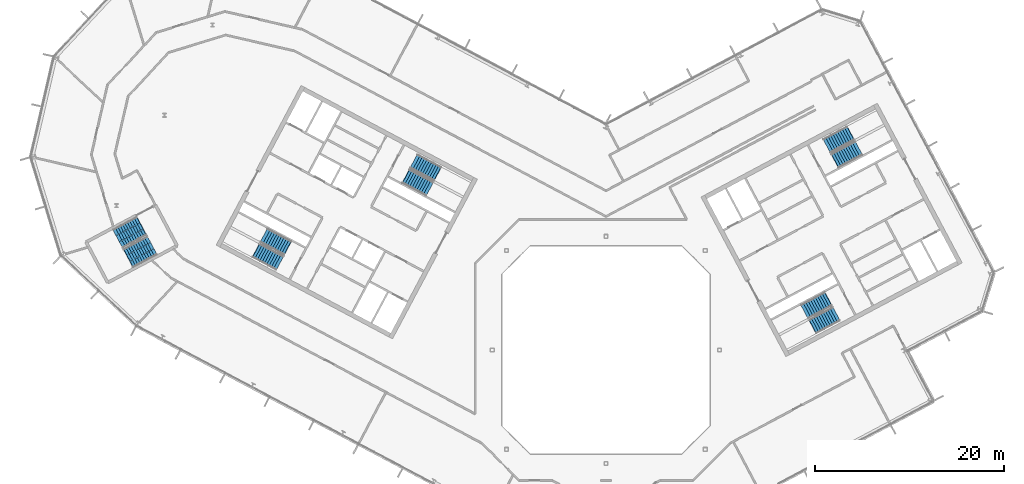
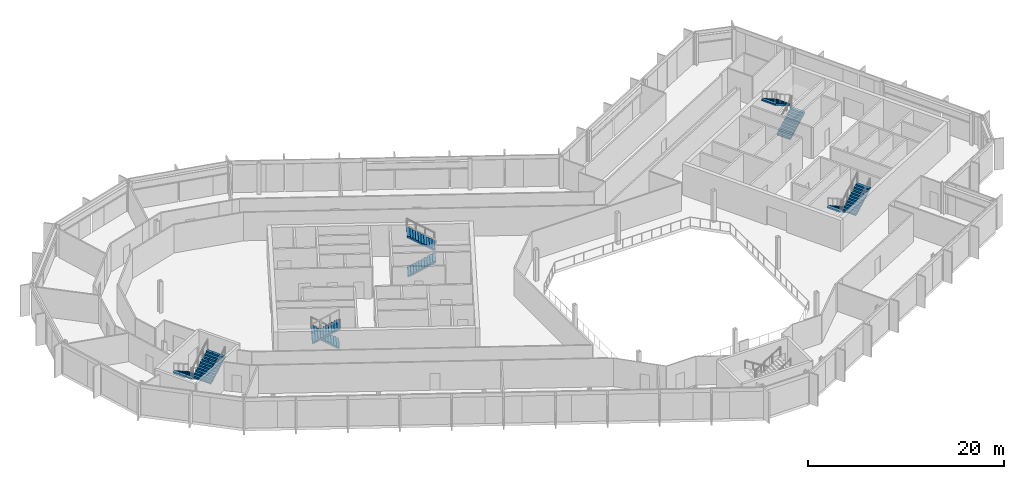
# One storey, part 17 of 25: 10 stair flights, 5 elements without a shape of their own.
"""IFC4 building model written with IfcOpenShell, lengths in metres."""

from ifc_helpers import new_model, si_unit, direction, frame, origin, place, context, subcontext, project, spatial, polyline, outline, extrude, material, type_object, element, aggregate, save


model = new_model("IFC4")

# Units and contexts
model_context = context("Model", 3, precision=1e-05, world=origin(), true_north=direction((0.0, 1.0)))
body_context = subcontext(model_context, "Body", "Model", "MODEL_VIEW")
ifc_project = project(units=[si_unit("LENGTHUNIT", "METRE"), si_unit("AREAUNIT", "SQUARE_METRE"), si_unit("VOLUMEUNIT", "CUBIC_METRE"), si_unit("PLANEANGLEUNIT", "RADIAN"), si_unit("MASSUNIT", "GRAM", prefix="KILO")], contexts=[model_context])

# Site, building, storey
site_placement = place(None, origin())
site = spatial("IfcSite", under=ifc_project, at=site_placement, CompositionType="ELEMENT")
building_placement = place(site_placement, origin())
building = spatial("IfcBuilding", under=site, at=building_placement, Name="Cormorant Relay Tower", CompositionType="ELEMENT")
storey_placement = place(building_placement, frame((0.0, 0.0, 289.199951171875)))
storey = spatial("IfcBuildingStorey", under=building, at=storey_placement, Name="L65", CompositionType="ELEMENT", Elevation=289.199951171875)

# Stair, stair flights
ifc_material_1 = material(Name="Concrete 40 MPa", Category="concrete")
stair_type_1 = type_object("IfcStairType", Name="Exit stair 1500", PredefinedType="HALF_TURN_STAIR", material=ifc_material_1)
stair_1_placement = place(storey_placement, origin())
stair_1 = element("IfcStair", 1, at=stair_1_placement, inside=storey, type_object=stair_type_1, Name="L65 Stair", PredefinedType="HALF_TURN_STAIR")
ifc_material_2 = material(Name="Concrete 40 MPa", Category="concrete")
stair_flight_type_1 = type_object("IfcStairFlightType", Name="Exit stair flight 1650", PredefinedType="STRAIGHT", material=ifc_material_2)
stair_flight_1_placement = place(storey_placement, frame((-21.114501953125, 18.33349609375, 0.0), z_axis=(0.0, 0.0, 1.0), x_axis=(0.882947592859, -0.469471562786, 0.0)))
stair_flight_1 = element("IfcStairFlight", 2, at=stair_flight_1_placement, type_object=stair_flight_type_1, Name="A1 flight 1", NumberOfRisers=11, NumberOfTreads=10, PredefinedType="STRAIGHT", RiserHeight=0.177272727, TreadLength=0.28, context=body_context, shape_type="SweptSolid", body=[
    extrude(outline(polyline([(-0.050048828125, -0.080078125), (-0.050048828125, 0.0), (0.0, 0.0), (0.0, 0.17724609375), (0.280029296875, 0.17724609375), (0.280029296875, 0.3544921875), (0.56005859375, 0.3544921875), (0.56005859375, 0.53173828125), (0.840087890625, 0.53173828125), (0.840087890625, 0.708984375), (1.1201171875, 0.708984375), (1.1201171875, 0.886474609375), (1.39990234375, 0.886474609375), (1.39990234375, 1.063720703125), (1.679931640625, 1.063720703125), (1.679931640625, 1.240966796875), (1.9599609375, 1.240966796875), (1.9599609375, 1.418212890625), (2.239990234375, 1.418212890625), (2.239990234375, 1.595458984375), (2.52001953125, 1.595458984375), (2.52001953125, 1.772705078125), (2.800048828125, 1.772705078125), (2.85009765625, 1.772705078125), (2.85009765625, 1.59521484375), (2.800048828125, 1.59521484375), (0.2802734375, 0.0), (-0.050048828125, -0.080078125)])), frame((0.0, 0.824951171875, 0.0), z_axis=(0.0, -1.0, 0.0), x_axis=(1.0, 0.0, 0.0)), (0.0, 0.0, 1.0), 1.64990234375),
])
stair_flight_2_placement = place(storey_placement, frame((-17.797119140625, 18.6083984375, 1.949951171875), z_axis=(0.0, 0.0, 1.0), x_axis=(-0.882947592859, 0.469471562786, 0.0)))
stair_flight_2 = element("IfcStairFlight", 3, at=stair_flight_2_placement, type_object=stair_flight_type_1, Name="A1 flight 2", NumberOfRisers=11, NumberOfTreads=10, PredefinedType="STRAIGHT", RiserHeight=0.177272727, TreadLength=0.28, context=body_context, shape_type="SweptSolid", body=[
    extrude(outline(polyline([(-0.050048828125, -0.080078125), (-0.050048828125, 0.0), (0.0, 0.0), (0.0, 0.17724609375), (0.280029296875, 0.17724609375), (0.280029296875, 0.3544921875), (0.56005859375, 0.3544921875), (0.56005859375, 0.53173828125), (0.840087890625, 0.53173828125), (0.840087890625, 0.708984375), (1.1201171875, 0.708984375), (1.1201171875, 0.886474609375), (1.39990234375, 0.886474609375), (1.39990234375, 1.063720703125), (1.679931640625, 1.063720703125), (1.679931640625, 1.240966796875), (1.9599609375, 1.240966796875), (1.9599609375, 1.418212890625), (2.239990234375, 1.418212890625), (2.239990234375, 1.595458984375), (2.52001953125, 1.595458984375), (2.52001953125, 1.772705078125), (2.800048828125, 1.772705078125), (2.85009765625, 1.772705078125), (2.85009765625, 1.59521484375), (2.800048828125, 1.59521484375), (0.2802734375, 0.0), (-0.050048828125, -0.080078125)])), frame((0.0, 0.824951171875, 0.0), z_axis=(0.0, -1.0, 0.0), x_axis=(1.0, 0.0, 0.0)), (0.0, 0.0, 1.0), 1.64990234375),
])
aggregate(stair_1, [stair_flight_1, stair_flight_2])

stair_2_placement = place(storey_placement, origin())
stair_2 = element("IfcStair", 4, at=stair_2_placement, inside=storey, type_object=stair_type_1, Name="L65 Stair", PredefinedType="HALF_TURN_STAIR")
stair_flight_3_placement = place(storey_placement, frame((-33.62841796875, 10.773681640625, 0.0), z_axis=(0.0, 0.0, 1.0), x_axis=(-0.882947592859, 0.469471562786, 0.0)))
stair_flight_3 = element("IfcStairFlight", 5, at=stair_flight_3_placement, type_object=stair_flight_type_1, Name="A2 flight 1", NumberOfRisers=11, NumberOfTreads=10, PredefinedType="STRAIGHT", RiserHeight=0.177272727, TreadLength=0.28, context=body_context, shape_type="SweptSolid", body=[
    extrude(outline(polyline([(-0.050048828125, -0.080078125), (-0.050048828125, 0.0), (0.0, 0.0), (0.0, 0.17724609375), (0.280029296875, 0.17724609375), (0.280029296875, 0.3544921875), (0.56005859375, 0.3544921875), (0.56005859375, 0.53173828125), (0.840087890625, 0.53173828125), (0.840087890625, 0.708984375), (1.1201171875, 0.708984375), (1.1201171875, 0.886474609375), (1.39990234375, 0.886474609375), (1.39990234375, 1.063720703125), (1.679931640625, 1.063720703125), (1.679931640625, 1.240966796875), (1.9599609375, 1.240966796875), (1.9599609375, 1.418212890625), (2.239990234375, 1.418212890625), (2.239990234375, 1.595458984375), (2.52001953125, 1.595458984375), (2.52001953125, 1.772705078125), (2.800048828125, 1.772705078125), (2.85009765625, 1.772705078125), (2.85009765625, 1.59521484375), (2.800048828125, 1.59521484375), (0.2802734375, 0.0), (-0.050048828125, -0.080078125)])), frame((0.0, 0.824951171875, 0.0), z_axis=(0.0, -1.0, 0.0), x_axis=(1.0, 0.0, 0.0)), (0.0, 0.0, 1.0), 1.64990234375),
])
stair_flight_4_placement = place(storey_placement, frame((-36.945556640625, 10.498779296875, 1.949951171875), z_axis=(0.0, 0.0, 1.0), x_axis=(0.882947592859, -0.469471562786, 0.0)))
stair_flight_4 = element("IfcStairFlight", 6, at=stair_flight_4_placement, type_object=stair_flight_type_1, Name="A2 flight 2", NumberOfRisers=11, NumberOfTreads=10, PredefinedType="STRAIGHT", RiserHeight=0.177272727, TreadLength=0.28, context=body_context, shape_type="SweptSolid", body=[
    extrude(outline(polyline([(-0.050048828125, -0.080078125), (-0.050048828125, 0.0), (0.0, 0.0), (0.0, 0.17724609375), (0.280029296875, 0.17724609375), (0.280029296875, 0.3544921875), (0.56005859375, 0.3544921875), (0.56005859375, 0.53173828125), (0.840087890625, 0.53173828125), (0.840087890625, 0.708984375), (1.1201171875, 0.708984375), (1.1201171875, 0.886474609375), (1.39990234375, 0.886474609375), (1.39990234375, 1.063720703125), (1.679931640625, 1.063720703125), (1.679931640625, 1.240966796875), (1.9599609375, 1.240966796875), (1.9599609375, 1.418212890625), (2.239990234375, 1.418212890625), (2.239990234375, 1.595458984375), (2.52001953125, 1.595458984375), (2.52001953125, 1.772705078125), (2.800048828125, 1.772705078125), (2.85009765625, 1.772705078125), (2.85009765625, 1.59521484375), (2.800048828125, 1.59521484375), (0.2802734375, 0.0), (-0.050048828125, -0.080078125)])), frame((0.0, 0.824951171875, 0.0), z_axis=(0.0, -1.0, 0.0), x_axis=(1.0, 0.0, 0.0)), (0.0, 0.0, 1.0), 1.64990234375),
])
aggregate(stair_2, [stair_flight_3, stair_flight_4])

stair_3_placement = place(storey_placement, origin())
stair_3 = element("IfcStair", 7, at=stair_3_placement, inside=storey, type_object=stair_type_1, Name="L65 Stair", PredefinedType="HALF_TURN_STAIR")
stair_flight_5_placement = place(storey_placement, frame((23.474365234375, 5.374755859375, 0.0), z_axis=(0.0, 0.0, 1.0), x_axis=(-0.882947592859, -0.469471562786, 0.0)))
stair_flight_5 = element("IfcStairFlight", 8, at=stair_flight_5_placement, type_object=stair_flight_type_1, Name="B1 flight 1", NumberOfRisers=11, NumberOfTreads=10, PredefinedType="STRAIGHT", RiserHeight=0.177272727, TreadLength=0.28, context=body_context, shape_type="SweptSolid", body=[
    extrude(outline(polyline([(-0.050048828125, -0.080078125), (-0.050048828125, 0.0), (0.0, 0.0), (0.0, 0.17724609375), (0.280029296875, 0.17724609375), (0.280029296875, 0.3544921875), (0.56005859375, 0.3544921875), (0.56005859375, 0.53173828125), (0.840087890625, 0.53173828125), (0.840087890625, 0.708984375), (1.1201171875, 0.708984375), (1.1201171875, 0.886474609375), (1.39990234375, 0.886474609375), (1.39990234375, 1.063720703125), (1.679931640625, 1.063720703125), (1.679931640625, 1.240966796875), (1.9599609375, 1.240966796875), (1.9599609375, 1.418212890625), (2.239990234375, 1.418212890625), (2.239990234375, 1.595458984375), (2.52001953125, 1.595458984375), (2.52001953125, 1.772705078125), (2.800048828125, 1.772705078125), (2.85009765625, 1.772705078125), (2.85009765625, 1.59521484375), (2.800048828125, 1.59521484375), (0.2802734375, 0.0), (-0.050048828125, -0.080078125)])), frame((0.0, 0.824951171875, 0.0), z_axis=(0.0, -1.0, 0.0), x_axis=(1.0, 0.0, 0.0)), (0.0, 0.0, 1.0), 1.64990234375),
])
stair_flight_6_placement = place(storey_placement, frame((21.84716796875, 2.470947265625, 1.949951171875), z_axis=(0.0, 0.0, 1.0), x_axis=(0.882947592859, 0.469471562786, 0.0)))
stair_flight_6 = element("IfcStairFlight", 9, at=stair_flight_6_placement, type_object=stair_flight_type_1, Name="B1 flight 2", NumberOfRisers=11, NumberOfTreads=10, PredefinedType="STRAIGHT", RiserHeight=0.177272727, TreadLength=0.28, context=body_context, shape_type="SweptSolid", body=[
    extrude(outline(polyline([(-0.050048828125, -0.080078125), (-0.050048828125, 0.0), (0.0, 0.0), (0.0, 0.17724609375), (0.280029296875, 0.17724609375), (0.280029296875, 0.3544921875), (0.56005859375, 0.3544921875), (0.56005859375, 0.53173828125), (0.840087890625, 0.53173828125), (0.840087890625, 0.708984375), (1.1201171875, 0.708984375), (1.1201171875, 0.886474609375), (1.39990234375, 0.886474609375), (1.39990234375, 1.063720703125), (1.679931640625, 1.063720703125), (1.679931640625, 1.240966796875), (1.9599609375, 1.240966796875), (1.9599609375, 1.418212890625), (2.239990234375, 1.418212890625), (2.239990234375, 1.595458984375), (2.52001953125, 1.595458984375), (2.52001953125, 1.772705078125), (2.800048828125, 1.772705078125), (2.85009765625, 1.772705078125), (2.85009765625, 1.59521484375), (2.800048828125, 1.59521484375), (0.2802734375, 0.0), (-0.050048828125, -0.080078125)])), frame((0.0, 0.824951171875, 0.0), z_axis=(0.0, -1.0, 0.0), x_axis=(1.0, 0.0, 0.0)), (0.0, 0.0, 1.0), 1.64990234375),
])
aggregate(stair_3, [stair_flight_5, stair_flight_6])

stair_4_placement = place(storey_placement, origin())
stair_4 = element("IfcStair", 10, at=stair_4_placement, inside=storey, type_object=stair_type_1, Name="L65 Stair", PredefinedType="HALF_TURN_STAIR")
stair_flight_7_placement = place(storey_placement, frame((24.20458984375, 19.976806640625, 0.0), z_axis=(0.0, 0.0, 1.0), x_axis=(0.882947592859, 0.469471562786, 0.0)))
stair_flight_7 = element("IfcStairFlight", 11, at=stair_flight_7_placement, type_object=stair_flight_type_1, Name="B2 flight 1", NumberOfRisers=11, NumberOfTreads=10, PredefinedType="STRAIGHT", RiserHeight=0.177272727, TreadLength=0.28, context=body_context, shape_type="SweptSolid", body=[
    extrude(outline(polyline([(-0.050048828125, -0.080078125), (-0.050048828125, 0.0), (0.0, 0.0), (0.0, 0.17724609375), (0.280029296875, 0.17724609375), (0.280029296875, 0.3544921875), (0.56005859375, 0.3544921875), (0.56005859375, 0.53173828125), (0.840087890625, 0.53173828125), (0.840087890625, 0.708984375), (1.1201171875, 0.708984375), (1.1201171875, 0.886474609375), (1.39990234375, 0.886474609375), (1.39990234375, 1.063720703125), (1.679931640625, 1.063720703125), (1.679931640625, 1.240966796875), (1.9599609375, 1.240966796875), (1.9599609375, 1.418212890625), (2.239990234375, 1.418212890625), (2.239990234375, 1.595458984375), (2.52001953125, 1.595458984375), (2.52001953125, 1.772705078125), (2.800048828125, 1.772705078125), (2.85009765625, 1.772705078125), (2.85009765625, 1.59521484375), (2.800048828125, 1.59521484375), (0.2802734375, 0.0), (-0.050048828125, -0.080078125)])), frame((0.0, 0.824951171875, 0.0), z_axis=(0.0, -1.0, 0.0), x_axis=(1.0, 0.0, 0.0)), (0.0, 0.0, 1.0), 1.64990234375),
])
stair_flight_8_placement = place(storey_placement, frame((25.831787109375, 22.880615234375, 1.949951171875), z_axis=(0.0, 0.0, 1.0), x_axis=(-0.882947592859, -0.469471562786, 0.0)))
stair_flight_8 = element("IfcStairFlight", 12, at=stair_flight_8_placement, type_object=stair_flight_type_1, Name="B2 flight 2", NumberOfRisers=11, NumberOfTreads=10, PredefinedType="STRAIGHT", RiserHeight=0.177272727, TreadLength=0.28, context=body_context, shape_type="SweptSolid", body=[
    extrude(outline(polyline([(-0.050048828125, -0.080078125), (-0.050048828125, 0.0), (0.0, 0.0), (0.0, 0.17724609375), (0.280029296875, 0.17724609375), (0.280029296875, 0.3544921875), (0.56005859375, 0.3544921875), (0.56005859375, 0.53173828125), (0.840087890625, 0.53173828125), (0.840087890625, 0.708984375), (1.1201171875, 0.708984375), (1.1201171875, 0.886474609375), (1.39990234375, 0.886474609375), (1.39990234375, 1.063720703125), (1.679931640625, 1.063720703125), (1.679931640625, 1.240966796875), (1.9599609375, 1.240966796875), (1.9599609375, 1.418212890625), (2.239990234375, 1.418212890625), (2.239990234375, 1.595458984375), (2.52001953125, 1.595458984375), (2.52001953125, 1.772705078125), (2.800048828125, 1.772705078125), (2.85009765625, 1.772705078125), (2.85009765625, 1.59521484375), (2.800048828125, 1.59521484375), (0.2802734375, 0.0), (-0.050048828125, -0.080078125)])), frame((0.0, 0.824951171875, 0.0), z_axis=(0.0, -1.0, 0.0), x_axis=(1.0, 0.0, 0.0)), (0.0, 0.0, 1.0), 1.64990234375),
])
aggregate(stair_4, [stair_flight_7, stair_flight_8])

ifc_material_3 = material(Name="Concrete 40 MPa", Category="concrete")
stair_type_2 = type_object("IfcStairType", Name="Remote exit stair 2200", PredefinedType="HALF_TURN_STAIR", material=ifc_material_3)
stair_5_placement = place(storey_placement, origin())
stair_5 = element("IfcStair", 13, at=stair_5_placement, inside=storey, type_object=stair_type_2, Name="L65 Stair", PredefinedType="HALF_TURN_STAIR")
ifc_material_4 = material(Name="Concrete 40 MPa", Category="concrete")
stair_flight_type_2 = type_object("IfcStairFlightType", Name="Remote exit stair flight 2200", PredefinedType="STRAIGHT", material=ifc_material_4)
stair_flight_9_placement = place(storey_placement, frame((-49.062255859375, 13.08251953125, 0.0), z_axis=(0.0, 0.0, 1.0), x_axis=(-0.882947502727, -0.4694717323, 0.0)))
stair_flight_9 = element("IfcStairFlight", 14, at=stair_flight_9_placement, type_object=stair_flight_type_2, Name="RP1 flight 1", NumberOfRisers=11, NumberOfTreads=10, PredefinedType="STRAIGHT", RiserHeight=0.177272727, TreadLength=0.28, context=body_context, shape_type="SweptSolid", body=[
    extrude(outline(polyline([(-0.050048828125, -0.080078125), (-0.050048828125, 0.0), (0.0, 0.0), (0.0, 0.17724609375), (0.280029296875, 0.17724609375), (0.280029296875, 0.3544921875), (0.56005859375, 0.3544921875), (0.56005859375, 0.53173828125), (0.840087890625, 0.53173828125), (0.840087890625, 0.708984375), (1.1201171875, 0.708984375), (1.1201171875, 0.886474609375), (1.39990234375, 0.886474609375), (1.39990234375, 1.063720703125), (1.679931640625, 1.063720703125), (1.679931640625, 1.240966796875), (1.9599609375, 1.240966796875), (1.9599609375, 1.418212890625), (2.239990234375, 1.418212890625), (2.239990234375, 1.595458984375), (2.52001953125, 1.595458984375), (2.52001953125, 1.772705078125), (2.800048828125, 1.772705078125), (2.85009765625, 1.772705078125), (2.85009765625, 1.59521484375), (2.800048828125, 1.59521484375), (0.2802734375, 0.0), (-0.050048828125, -0.080078125)])), frame((0.0, 1.10009765625, 0.0), z_axis=(0.0, -1.0, 0.0), x_axis=(1.0, 0.0, 0.0)), (0.0, 0.0, 1.0), 0.719970703125),
    extrude(outline(polyline([(-0.050048828125, -0.080078125), (-0.050048828125, 0.0), (0.0, 0.0), (0.0, 0.17724609375), (0.280029296875, 0.17724609375), (0.280029296875, 0.3544921875), (0.56005859375, 0.3544921875), (0.56005859375, 0.53173828125), (0.840087890625, 0.53173828125), (0.840087890625, 0.708984375), (1.1201171875, 0.708984375), (1.1201171875, 0.886474609375), (1.39990234375, 0.886474609375), (1.39990234375, 1.063720703125), (1.679931640625, 1.063720703125), (1.679931640625, 1.240966796875), (1.9599609375, 1.240966796875), (1.9599609375, 1.418212890625), (2.239990234375, 1.418212890625), (2.239990234375, 1.595458984375), (2.52001953125, 1.595458984375), (2.52001953125, 1.772705078125), (2.800048828125, 1.772705078125), (2.85009765625, 1.772705078125), (2.85009765625, 1.59521484375), (2.800048828125, 1.59521484375), (0.2802734375, 0.0), (-0.050048828125, -0.080078125)])), frame((0.0, 0.360107421875, 0.0), z_axis=(0.0, -1.0, 0.0), x_axis=(1.0, 0.0, 0.0)), (0.0, 0.0, 1.0), 0.719970703125),
    extrude(outline(polyline([(-0.050048828125, -0.080078125), (-0.050048828125, 0.0), (0.0, 0.0), (0.0, 0.17724609375), (0.280029296875, 0.17724609375), (0.280029296875, 0.3544921875), (0.56005859375, 0.3544921875), (0.56005859375, 0.53173828125), (0.840087890625, 0.53173828125), (0.840087890625, 0.708984375), (1.1201171875, 0.708984375), (1.1201171875, 0.886474609375), (1.39990234375, 0.886474609375), (1.39990234375, 1.063720703125), (1.679931640625, 1.063720703125), (1.679931640625, 1.240966796875), (1.9599609375, 1.240966796875), (1.9599609375, 1.418212890625), (2.239990234375, 1.418212890625), (2.239990234375, 1.595458984375), (2.52001953125, 1.595458984375), (2.52001953125, 1.772705078125), (2.800048828125, 1.772705078125), (2.85009765625, 1.772705078125), (2.85009765625, 1.59521484375), (2.800048828125, 1.59521484375), (0.2802734375, 0.0), (-0.050048828125, -0.080078125)])), frame((0.0, -0.3798828125, 0.0), z_axis=(0.0, -1.0, 0.0), x_axis=(1.0, 0.0, 0.0)), (0.0, 0.0, 1.0), 0.719970703125),
])
stair_flight_10_placement = place(storey_placement, frame((-50.431396484375, 9.693115234375, 1.949951171875), z_axis=(0.0, 0.0, 1.0), x_axis=(0.882947502727, 0.4694717323, 0.0)))
stair_flight_10 = element("IfcStairFlight", 15, at=stair_flight_10_placement, type_object=stair_flight_type_2, Name="RP1 flight 2", NumberOfRisers=11, NumberOfTreads=10, PredefinedType="STRAIGHT", RiserHeight=0.177272727, TreadLength=0.28, context=body_context, shape_type="SweptSolid", body=[
    extrude(outline(polyline([(-0.050048828125, -0.080078125), (-0.050048828125, 0.0), (0.0, 0.0), (0.0, 0.17724609375), (0.280029296875, 0.17724609375), (0.280029296875, 0.3544921875), (0.56005859375, 0.3544921875), (0.56005859375, 0.53173828125), (0.840087890625, 0.53173828125), (0.840087890625, 0.708984375), (1.1201171875, 0.708984375), (1.1201171875, 0.886474609375), (1.39990234375, 0.886474609375), (1.39990234375, 1.063720703125), (1.679931640625, 1.063720703125), (1.679931640625, 1.240966796875), (1.9599609375, 1.240966796875), (1.9599609375, 1.418212890625), (2.239990234375, 1.418212890625), (2.239990234375, 1.595458984375), (2.52001953125, 1.595458984375), (2.52001953125, 1.772705078125), (2.800048828125, 1.772705078125), (2.85009765625, 1.772705078125), (2.85009765625, 1.59521484375), (2.800048828125, 1.59521484375), (0.2802734375, 0.0), (-0.050048828125, -0.080078125)])), frame((0.0, 1.10009765625, 0.0), z_axis=(0.0, -1.0, 0.0), x_axis=(1.0, 0.0, 0.0)), (0.0, 0.0, 1.0), 0.719970703125),
    extrude(outline(polyline([(-0.050048828125, -0.080078125), (-0.050048828125, 0.0), (0.0, 0.0), (0.0, 0.17724609375), (0.280029296875, 0.17724609375), (0.280029296875, 0.3544921875), (0.56005859375, 0.3544921875), (0.56005859375, 0.53173828125), (0.840087890625, 0.53173828125), (0.840087890625, 0.708984375), (1.1201171875, 0.708984375), (1.1201171875, 0.886474609375), (1.39990234375, 0.886474609375), (1.39990234375, 1.063720703125), (1.679931640625, 1.063720703125), (1.679931640625, 1.240966796875), (1.9599609375, 1.240966796875), (1.9599609375, 1.418212890625), (2.239990234375, 1.418212890625), (2.239990234375, 1.595458984375), (2.52001953125, 1.595458984375), (2.52001953125, 1.772705078125), (2.800048828125, 1.772705078125), (2.85009765625, 1.772705078125), (2.85009765625, 1.59521484375), (2.800048828125, 1.59521484375), (0.2802734375, 0.0), (-0.050048828125, -0.080078125)])), frame((0.0, 0.360107421875, 0.0), z_axis=(0.0, -1.0, 0.0), x_axis=(1.0, 0.0, 0.0)), (0.0, 0.0, 1.0), 0.719970703125),
    extrude(outline(polyline([(-0.050048828125, -0.080078125), (-0.050048828125, 0.0), (0.0, 0.0), (0.0, 0.17724609375), (0.280029296875, 0.17724609375), (0.280029296875, 0.3544921875), (0.56005859375, 0.3544921875), (0.56005859375, 0.53173828125), (0.840087890625, 0.53173828125), (0.840087890625, 0.708984375), (1.1201171875, 0.708984375), (1.1201171875, 0.886474609375), (1.39990234375, 0.886474609375), (1.39990234375, 1.063720703125), (1.679931640625, 1.063720703125), (1.679931640625, 1.240966796875), (1.9599609375, 1.240966796875), (1.9599609375, 1.418212890625), (2.239990234375, 1.418212890625), (2.239990234375, 1.595458984375), (2.52001953125, 1.595458984375), (2.52001953125, 1.772705078125), (2.800048828125, 1.772705078125), (2.85009765625, 1.772705078125), (2.85009765625, 1.59521484375), (2.800048828125, 1.59521484375), (0.2802734375, 0.0), (-0.050048828125, -0.080078125)])), frame((0.0, -0.3798828125, 0.0), z_axis=(0.0, -1.0, 0.0), x_axis=(1.0, 0.0, 0.0)), (0.0, 0.0, 1.0), 0.719970703125),
])
aggregate(stair_5, [stair_flight_9, stair_flight_10])

save(model, "model.ifc")
